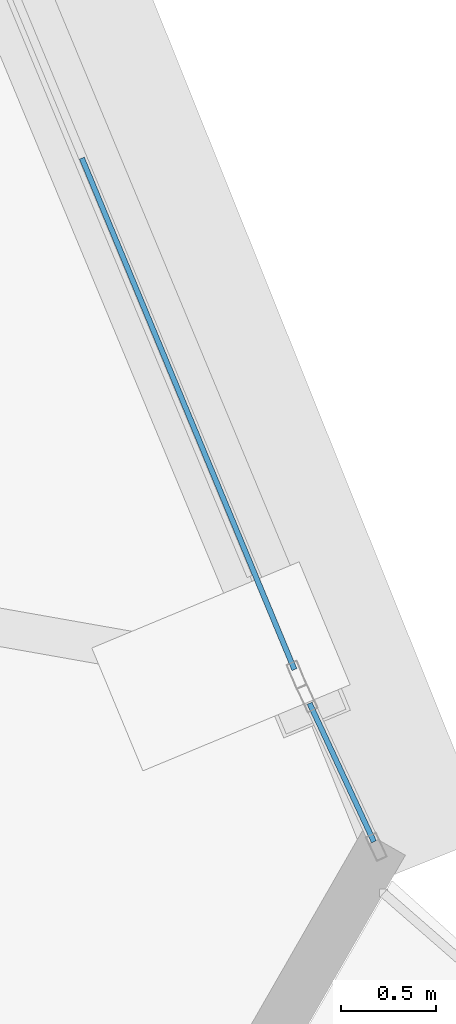
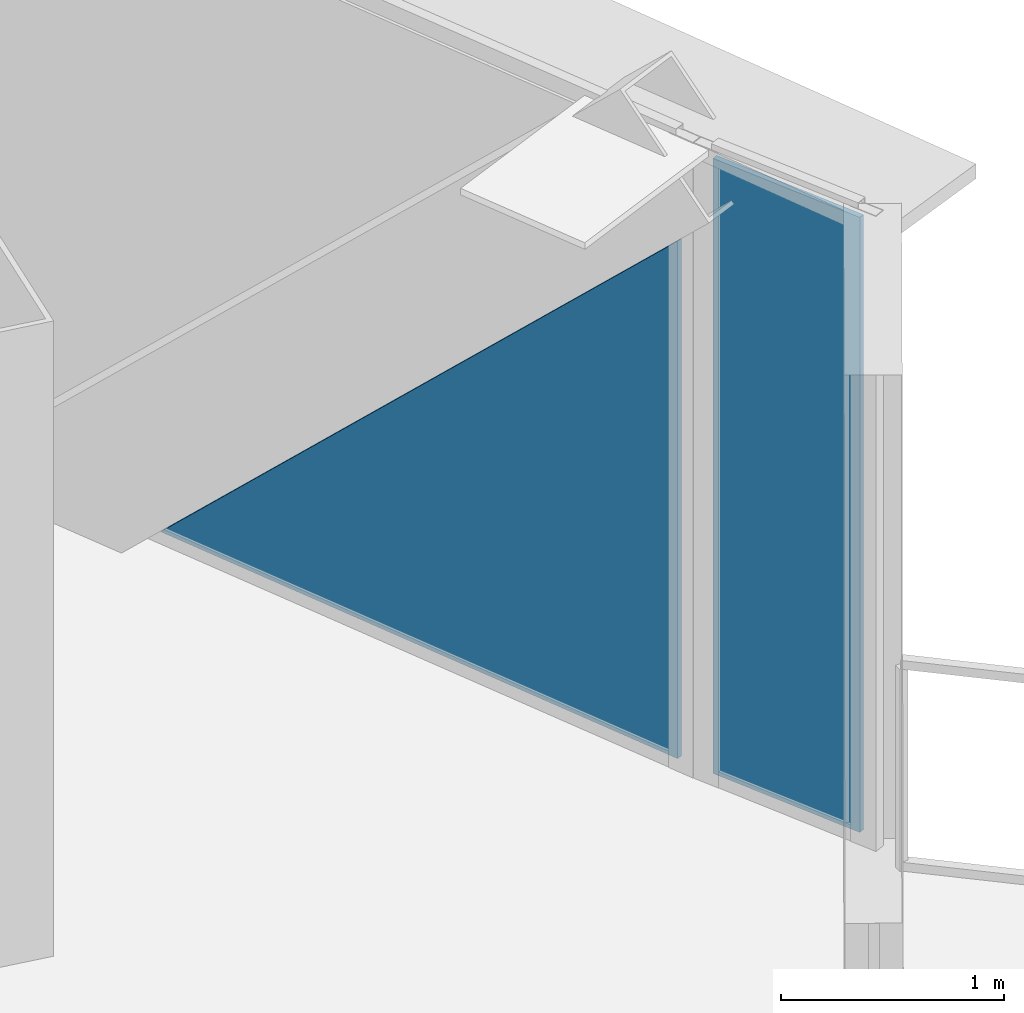
# One storey, part 32 of 39: 2 plates, 2 elements without a shape of their own.
"""IFC4 building model written with IfcOpenShell, lengths in metres."""

from ifc_helpers import new_model, si_unit, direction, frame, origin, origin_2d, place, context, subcontext, project, spatial, polyline, rectangle, outline, extrude, source, transform, mapped, material, layer, layer_set, type_object, element, aggregate, save


model = new_model("IFC4")

# Units and contexts
model_context = context("Model", 3, precision=1e-05, world=origin(), true_north=direction((0.0, 1.0)))
body_context = subcontext(model_context, "Body", "Model", "MODEL_VIEW")
ifc_project = project(units=[si_unit("LENGTHUNIT", "METRE"), si_unit("AREAUNIT", "SQUARE_METRE"), si_unit("VOLUMEUNIT", "CUBIC_METRE"), si_unit("PLANEANGLEUNIT", "RADIAN"), si_unit("MASSUNIT", "GRAM", prefix="KILO"), si_unit("THERMODYNAMICTEMPERATUREUNIT", "KELVIN"), si_unit("POWERUNIT", "WATT")], contexts=[model_context])

# Site, building, storey
site_placement = place(None, origin())
site = spatial("IfcSite", under=ifc_project, at=site_placement, CompositionType="ELEMENT")
building_placement = place(site_placement, origin())
building = spatial("IfcBuilding", under=site, at=building_placement, Name="Yunzhuo Pagoda Commons", CompositionType="ELEMENT")
storey_placement = place(building_placement, frame((0.0, 0.0, 285.02001953125)))
storey = spatial("IfcBuildingStorey", under=building, at=storey_placement, Name="L71", CompositionType="ELEMENT", Elevation=285.02001953125)

# Curtain wall, plate
ifc_material_1 = material(Name="Anodized aluminium 6063-T6", Category="aluminium")
ifc_layer_1 = layer(ifc_material_1, 0.139892578125)
ifc_layer_set_1 = layer_set([ifc_layer_1], Name="Anodized aluminium 6063-T6")
curtain_wall_type = type_object("IfcCurtainWallType", Name="CW-HI High-Zone Ribbon Curtain Wall", PredefinedType="NOTDEFINED", material=ifc_layer_set_1)
curtain_wall_1_placement = place(storey_placement, origin())
curtain_wall_1 = element("IfcCurtainWall", 1, at=curtain_wall_1_placement, inside=storey, type_object=curtain_wall_type, Name="L71 curtain wall CW-L71-F2B2", PredefinedType="NOTDEFINED")
ifc_material_2 = material(Name="Tempered low-e double glazing", Category="glass")
ifc_layer_2 = layer(ifc_material_2, 0.02587890625)
ifc_layer_set_2 = layer_set([ifc_layer_2], Name="Tempered low-e double glazing")
plate_type = type_object("IfcPlateType", Name="CW-HI-P Low-E Double Glazing 26", PredefinedType="CURTAIN_PANEL", material=ifc_layer_set_2)
plate_1_placement = place(storey_placement, frame((79.55517578125, 29.42626953125, 1.46875), z_axis=(0.923393531316, 0.383854642182, 0.0), x_axis=(-0.383854642182, 0.923393531316, 0.0)))
plate_1 = element("IfcPlate", 2, at=plate_1_placement, type_object=plate_type, Name="CW panel 1.1 lite 1", PredefinedType="CURTAIN_PANEL", context=body_context, shape_type="SweptSolid", body=[
    extrude(outline(polyline([(-1.456787109375, -1.413818359375), (1.456787109375, -1.413818359375), (-1.456787109375, 1.413818359375), (-1.456787109375, -1.413818359375)])), origin(), (0.0, 0.0, 1.0), 0.028076171875),
])
aggregate(curtain_wall_1, [plate_1])

curtain_wall_2_placement = place(storey_placement, origin())
curtain_wall_2 = element("IfcCurtainWall", 3, at=curtain_wall_2_placement, inside=storey, type_object=curtain_wall_type, Name="L71 curtain wall CW-L71-F2B1", PredefinedType="NOTDEFINED")
shared_shape = source(origin(), body_context, "Body", "SweptSolid", [
    extrude(rectangle(XDim=0.802734375, YDim=0.028076171875, at=origin_2d()), origin(), (0.0, 0.0, 1.0), 3.360107421875),
])
plate_2_placement = place(storey_placement, frame((80.376220703125, 27.544677734375, 0.0546875), z_axis=(0.0, 0.0, 1.0), x_axis=(-0.421407442389, 0.906871417291, 0.0)))
plate_2 = element("IfcPlate", 4, at=plate_2_placement, type_object=plate_type, Name="CW panel 1.1", PredefinedType="CURTAIN_PANEL", context=body_context, shape_type="MappedRepresentation", body=[
    mapped(shared_shape, transform((0.0, 0.0, 0.0), scale=1.0)),
])
aggregate(curtain_wall_2, [plate_2])

save(model, "model.ifc")
